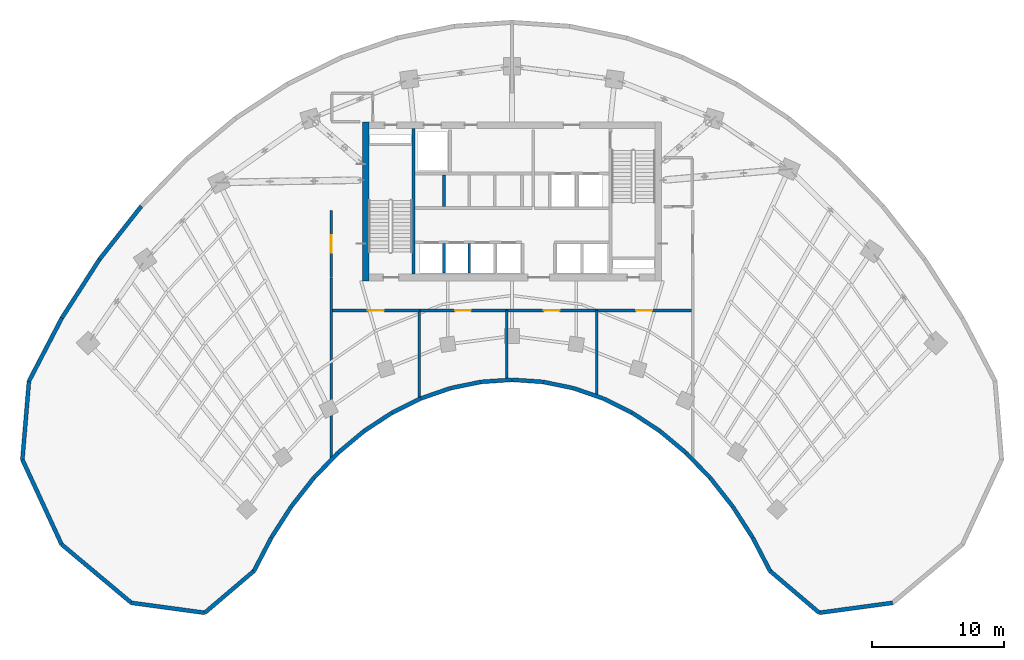
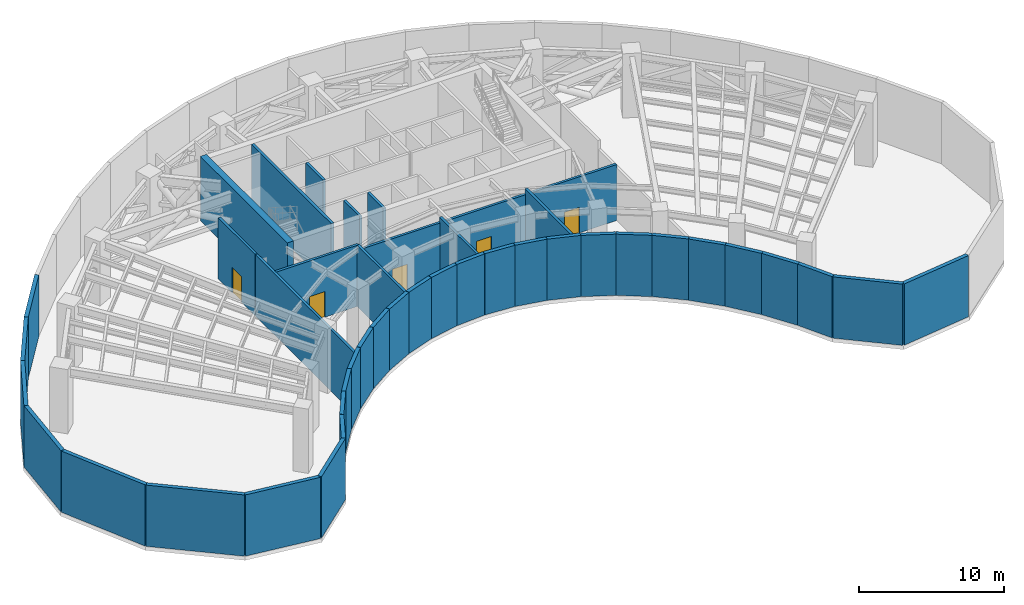
# One storey, part 7 of 10: 44 walls, 5 doors, 5 openings.
"""IFC4 building model written with IfcOpenShell, lengths in metres."""

from ifc_helpers import new_model, si_unit, direction, frame, frame_2d, origin, place, context, subcontext, project, spatial, rectangle, extrude, source, transform, mapped, material, layer, layer_set, type_object, type_shapes, element, fill, save


model = new_model("IFC4")

# Units and contexts
model_context = context("Model", 3, precision=1e-05, world=origin(), true_north=direction((0.0, 1.0)))
body_context = subcontext(model_context, "Body", "Model", "MODEL_VIEW")
ifc_project = project(units=[si_unit("LENGTHUNIT", "METRE"), si_unit("AREAUNIT", "SQUARE_METRE"), si_unit("VOLUMEUNIT", "CUBIC_METRE"), si_unit("PLANEANGLEUNIT", "RADIAN"), si_unit("MASSUNIT", "GRAM", prefix="KILO")], contexts=[model_context])

# Site, building, storey
site_placement = place(None, origin())
site = spatial("IfcSite", under=ifc_project, at=site_placement, CompositionType="ELEMENT")
building_placement = place(site_placement, origin())
building = spatial("IfcBuilding", under=site, at=building_placement, Name="Breltana Convention Tower", CompositionType="ELEMENT")
storey_placement = place(building_placement, frame((0.0, 0.0, 85.800048828125)))
storey = spatial("IfcBuildingStorey", under=building, at=storey_placement, Name="L20", CompositionType="ELEMENT", Elevation=85.800048828125)

# Walls
ifc_material_1 = material(Name="Concrete C60/75", Category="concrete")
ifc_layer_1 = layer(ifc_material_1, 0.5, Name="Concrete C60/75")
ifc_layer_set_1 = layer_set([ifc_layer_1], Name="Concrete C60/75")
wall_type_1 = type_object("IfcWallType", Name="SW-CORE-500", PredefinedType="SHEAR", material=ifc_layer_set_1)
shared_shape_1 = source(origin(), body_context, "Body", "SweptSolid", [
    extrude(rectangle(XDim=12.0, YDim=0.5, at=frame_2d((6.0, 0.0))), origin(), (0.0, 0.0, 1.0), 5.39990234375),
])
type_shapes(wall_type_1, [shared_shape_1])
wall_1_placement = place(storey_placement, frame((36.949951171875, 60.199951171875, 0.0), z_axis=(0.0, 0.0, 1.0), x_axis=(0.0, 1.0, 0.0)))
element("IfcWall", 1, at=wall_1_placement, inside=storey, type_object=wall_type_1, Name="L20 West Core Shear Wall", PredefinedType="SHEAR", context=body_context, shape_type="MappedRepresentation", body=[
    mapped(shared_shape_1, transform((0.0, 0.0, 0.0), scale=1.0)),
])
ifc_material_2 = material(Name="Concrete C50/60", Category="concrete")
ifc_layer_2 = layer(ifc_material_2, 0.39990234375, Name="Concrete C50/60")
ifc_layer_set_2 = layer_set([ifc_layer_2], Name="Concrete C50/60")
wall_type_2 = type_object("IfcWallType", Name="SW-CORE-400", PredefinedType="SHEAR", material=ifc_layer_set_2)
shared_shape_2 = source(origin(), body_context, "Body", "SweptSolid", [
    extrude(rectangle(XDim=11.0, YDim=0.219970703125, at=frame_2d((5.5, 0.0))), origin(), (0.0, 0.0, 1.0), 5.39990234375),
])
wall_2_placement = place(storey_placement, frame((40.580078125, 60.699951171875, 0.0), z_axis=(0.0, 0.0, 1.0), x_axis=(0.0, 1.0, 0.0)))
element("IfcWall", 2, at=wall_2_placement, inside=storey, type_object=wall_type_2, Name="L20 Core West Stair Spine Wall", PredefinedType="SHEAR", context=body_context, shape_type="MappedRepresentation", body=[
    mapped(shared_shape_2, transform((0.0, 0.0, 0.0), scale=1.0)),
])
ifc_material_3 = material(Name="Limestone Buff Insulated Wall", Category="masonry")
ifc_layer_3 = layer(ifc_material_3, 0.300048828125, Name="Limestone Buff Insulated Wall")
ifc_layer_set_3 = layer_set([ifc_layer_3], Name="Limestone Buff Insulated Wall")
wall_type_3 = type_object("IfcWallType", Name="WL-EXT-CRN-300", PredefinedType="SOLIDWALL", material=ifc_layer_set_3)
shared_shape_3 = source(origin(), body_context, "Body", "SweptSolid", [
    extrude(rectangle(XDim=5.939208984375, YDim=0.300048828125, at=frame_2d((2.9697265625, 0.0))), origin(), (0.0, 0.0, 1.0), 5.14990234375),
])
type_shapes(wall_type_3, [shared_shape_3])
wall_3_placement = place(storey_placement, frame((11.0458984375, 46.70654296875, 0.0), z_axis=(0.0, 0.0, 1.0), x_axis=(0.083324439048, 0.996522472329, 0.0)))
element("IfcWall", 3, at=wall_3_placement, inside=storey, type_object=wall_type_3, Name="L20 mechanical limestone enclosure wall 49", PredefinedType="SOLIDWALL", context=body_context, shape_type="MappedRepresentation", body=[
    mapped(shared_shape_3, transform((0.0, 0.0, 0.0), scale=1.0)),
])
shared_shape_4 = source(origin(), body_context, "Body", "SweptSolid", [
    extrude(rectangle(XDim=7.046630859375, YDim=0.300048828125, at=frame_2d((3.5234375, 0.0))), origin(), (0.0, 0.0, 1.0), 5.14990234375),
])
wall_4_placement = place(storey_placement, frame((14.0029296875, 40.310302734375, 0.0), z_axis=(0.0, 0.0, 1.0), x_axis=(-0.419633725743, 0.907693525491, 0.0)))
element("IfcWall", 4, at=wall_4_placement, inside=storey, type_object=wall_type_3, Name="L20 mechanical limestone enclosure wall 48", PredefinedType="SOLIDWALL", context=body_context, shape_type="MappedRepresentation", body=[
    mapped(shared_shape_4, transform((0.0, 0.0, 0.0), scale=1.0)),
])
shared_shape_5 = source(origin(), body_context, "Body", "SweptSolid", [
    extrude(rectangle(XDim=6.88037109375, YDim=0.300048828125, at=frame_2d((3.440185546875, 0.0))), origin(), (0.0, 0.0, 1.0), 5.14990234375),
])
wall_5_placement = place(storey_placement, frame((19.2783203125, 35.893310546875, 0.0), z_axis=(0.0, 0.0, 1.0), x_axis=(-0.766730052601, 0.641969646041, 0.0)))
element("IfcWall", 5, at=wall_5_placement, inside=storey, type_object=wall_type_3, Name="L20 mechanical limestone enclosure wall 47", PredefinedType="SOLIDWALL", context=body_context, shape_type="MappedRepresentation", body=[
    mapped(shared_shape_5, transform((0.0, 0.0, 0.0), scale=1.0)),
])
shared_shape_6 = source(origin(), body_context, "Body", "SweptSolid", [
    extrude(rectangle(XDim=5.575439453125, YDim=0.300048828125, at=frame_2d((2.78759765625, 0.0))), origin(), (0.0, 0.0, 1.0), 5.14990234375),
])
for number, where, z_axis, x_axis, name in (
    (6, (76.7216796875, 35.893310546875, 0.0), (0.0, 0.0, 1.0), (-0.990929024595, -0.134386264979, 0.0), "L20 mechanical limestone enclosure wall 4"),
    (7, (24.80322265625, 35.14404296875, 0.0), (0.0, 0.0, 1.0), (-0.990929024595, 0.134386264979, 0.0), "L20 mechanical limestone enclosure wall 46"),
):
    element("IfcWall", number, at=place(storey_placement, frame(where, z_axis=z_axis, x_axis=x_axis)), inside=storey, type_object=wall_type_3, Name=name, PredefinedType="SOLIDWALL", context=body_context, shape_type="MappedRepresentation", body=[
        mapped(shared_shape_6, transform((0.0, 0.0, 0.0), scale=1.0)),
    ])
shared_shape_7 = source(origin(), body_context, "Body", "SweptSolid", [
    extrude(rectangle(XDim=4.879638671875, YDim=0.300048828125, at=frame_2d((2.43994140625, 0.0))), origin(), (0.0, 0.0, 1.0), 5.14990234375),
])
for number, where, z_axis, x_axis, name in (
    (8, (71.19677734375, 35.14404296875, 0.0), (0.0, 0.0, 1.0), (-0.761909689014, 0.647683275827, 0.0), "L20 mechanical limestone enclosure wall 5"),
    (9, (28.52099609375, 38.304443359375, 0.0), (0.0, 0.0, 1.0), (-0.761909689014, -0.647683275827, 0.0), "L20 mechanical limestone enclosure wall 45"),
):
    element("IfcWall", number, at=place(storey_placement, frame(where, z_axis=z_axis, x_axis=x_axis)), inside=storey, type_object=wall_type_3, Name=name, PredefinedType="SOLIDWALL", context=body_context, shape_type="MappedRepresentation", body=[
        mapped(shared_shape_7, transform((0.0, 0.0, 0.0), scale=1.0)),
    ])
shared_shape_8 = source(origin(), body_context, "Body", "SweptSolid", [
    extrude(rectangle(XDim=2.8232421875, YDim=0.300048828125, at=frame_2d((1.41162109375, 0.0))), origin(), (0.0, 0.0, 1.0), 5.14990234375),
])
for number, where, z_axis, x_axis, name in (
    (10, (67.47900390625, 38.304443359375, 0.0), (0.0, 0.0, 1.0), (-0.46178560981, 0.886991573, 0.0), "L20 mechanical limestone enclosure wall 6"),
    (11, (29.82470703125, 40.80859375, 0.0), (0.0, 0.0, 1.0), (-0.46178560981, -0.886991573, 0.0), "L20 mechanical limestone enclosure wall 44"),
):
    element("IfcWall", number, at=place(storey_placement, frame(where, z_axis=z_axis, x_axis=x_axis)), inside=storey, type_object=wall_type_3, Name=name, PredefinedType="SOLIDWALL", context=body_context, shape_type="MappedRepresentation", body=[
        mapped(shared_shape_8, transform((0.0, 0.0, 0.0), scale=1.0)),
    ])
shared_shape_9 = source(origin(), body_context, "Body", "SweptSolid", [
    extrude(rectangle(XDim=2.784912109375, YDim=0.300048828125, at=frame_2d((1.392578125, 0.0))), origin(), (0.0, 0.0, 1.0), 5.14990234375),
])
for number, where, z_axis, x_axis, name in (
    (12, (66.1669921875, 40.82275390625, 0.0), (0.0, 0.0, 1.0), (-0.540172625994, 0.841554237187, 0.0), "L20 mechanical limestone enclosure wall 8"),
    (13, (31.33740234375, 43.16650390625, 0.0), (0.0, 0.0, 1.0), (-0.540172625994, -0.841554237187, 0.0), "L20 mechanical limestone enclosure wall 42"),
):
    element("IfcWall", number, at=place(storey_placement, frame(where, z_axis=z_axis, x_axis=x_axis)), inside=storey, type_object=wall_type_3, Name=name, PredefinedType="SOLIDWALL", context=body_context, shape_type="MappedRepresentation", body=[
        mapped(shared_shape_9, transform((0.0, 0.0, 0.0), scale=1.0)),
    ])
shared_shape_10 = source(origin(), body_context, "Body", "SweptSolid", [
    extrude(rectangle(XDim=2.70703125, YDim=0.300048828125, at=frame_2d((1.353515625, 0.0))), origin(), (0.0, 0.0, 1.0), 5.14990234375),
])
for number, where, z_axis, x_axis, name in (
    (14, (64.652587890625, 43.1806640625, 0.0), (0.0, 0.0, 1.0), (-0.618140142169, 0.786067913503, 0.0), "L20 mechanical limestone enclosure wall 10"),
    (15, (33.020751953125, 45.30859375, 0.0), (0.0, 0.0, 1.0), (-0.618140142169, -0.786067913503, 0.0), "L20 mechanical limestone enclosure wall 40"),
):
    element("IfcWall", number, at=place(storey_placement, frame(where, z_axis=z_axis, x_axis=x_axis)), inside=storey, type_object=wall_type_3, Name=name, PredefinedType="SOLIDWALL", context=body_context, shape_type="MappedRepresentation", body=[
        mapped(shared_shape_10, transform((0.0, 0.0, 0.0), scale=1.0)),
    ])
shared_shape_11 = source(origin(), body_context, "Body", "SweptSolid", [
    extrude(rectangle(XDim=2.628173828125, YDim=0.300048828125, at=frame_2d((1.31396484375, 0.0))), origin(), (0.0, 0.0, 1.0), 5.14990234375),
])
for number, where, z_axis, x_axis, name in (
    (16, (62.96728515625, 45.322265625, 0.0), (0.0, 0.0, 1.0), (-0.694596171565, 0.719399859917, 0.0), "L20 mechanical limestone enclosure wall 12"),
    (17, (34.858154296875, 47.212890625, 0.0), (0.0, 0.0, 1.0), (-0.694596171565, -0.719399859917, 0.0), "L20 mechanical limestone enclosure wall 38"),
):
    element("IfcWall", number, at=place(storey_placement, frame(where, z_axis=z_axis, x_axis=x_axis)), inside=storey, type_object=wall_type_3, Name=name, PredefinedType="SOLIDWALL", context=body_context, shape_type="MappedRepresentation", body=[
        mapped(shared_shape_11, transform((0.0, 0.0, 0.0), scale=1.0)),
    ])
shared_shape_12 = source(origin(), body_context, "Body", "SweptSolid", [
    extrude(rectangle(XDim=2.550537109375, YDim=0.300048828125, at=frame_2d((1.275390625, 0.0))), origin(), (0.0, 0.0, 1.0), 5.14990234375),
])
for number, where, z_axis, x_axis, name in (
    (18, (61.127685546875, 47.22607421875, 0.0), (0.0, 0.0, 1.0), (-0.767977995995, 0.640476227247, 0.0), "L20 mechanical limestone enclosure wall 14"),
    (19, (36.8310546875, 48.859619140625, 0.0), (0.0, 0.0, 1.0), (-0.767977995995, -0.640476227247, 0.0), "L20 mechanical limestone enclosure wall 36"),
):
    element("IfcWall", number, at=place(storey_placement, frame(where, z_axis=z_axis, x_axis=x_axis)), inside=storey, type_object=wall_type_3, Name=name, PredefinedType="SOLIDWALL", context=body_context, shape_type="MappedRepresentation", body=[
        mapped(shared_shape_12, transform((0.0, 0.0, 0.0), scale=1.0)),
    ])
shared_shape_13 = source(origin(), body_context, "Body", "SweptSolid", [
    extrude(rectangle(XDim=2.478271484375, YDim=0.300048828125, at=frame_2d((1.2392578125, 0.0))), origin(), (0.0, 0.0, 1.0), 5.14990234375),
])
for number, where, z_axis, x_axis, name in (
    (20, (59.152587890625, 48.871826171875, 0.0), (0.0, 0.0, 1.0), (-0.835954701048, 0.548798449156, 0.0), "L20 mechanical limestone enclosure wall 16"),
    (21, (38.919189453125, 50.23193359375, 0.0), (0.0, 0.0, 1.0), (-0.835954701048, -0.548798449156, 0.0), "L20 mechanical limestone enclosure wall 34"),
):
    element("IfcWall", number, at=place(storey_placement, frame(where, z_axis=z_axis, x_axis=x_axis)), inside=storey, type_object=wall_type_3, Name=name, PredefinedType="SOLIDWALL", context=body_context, shape_type="MappedRepresentation", body=[
        mapped(shared_shape_13, transform((0.0, 0.0, 0.0), scale=1.0)),
    ])
shared_shape_14 = source(origin(), body_context, "Body", "SweptSolid", [
    extrude(rectangle(XDim=2.4150390625, YDim=0.300048828125, at=frame_2d((1.20751953125, 0.0))), origin(), (0.0, 0.0, 1.0), 5.14990234375),
])
for number, where, z_axis, x_axis, name in (
    (22, (57.061767578125, 50.24267578125, 0.0), (0.0, 0.0, 1.0), (-0.895978588606, 0.444097251466, 0.0), "L20 mechanical limestone enclosure wall 18"),
    (23, (41.10205078125, 51.315185546875, 0.0), (0.0, 0.0, 1.0), (-0.895978588606, -0.444097251466, 0.0), "L20 mechanical limestone enclosure wall 32"),
):
    element("IfcWall", number, at=place(storey_placement, frame(where, z_axis=z_axis, x_axis=x_axis)), inside=storey, type_object=wall_type_3, Name=name, PredefinedType="SOLIDWALL", context=body_context, shape_type="MappedRepresentation", body=[
        mapped(shared_shape_14, transform((0.0, 0.0, 0.0), scale=1.0)),
    ])
shared_shape_15 = source(origin(), body_context, "Body", "SweptSolid", [
    extrude(rectangle(XDim=2.36376953125, YDim=0.300048828125, at=frame_2d((1.181884765625, 0.0))), origin(), (0.0, 0.0, 1.0), 5.14990234375),
])
for number, where, z_axis, x_axis, name in (
    (24, (54.876953125, 51.32421875, 0.0), (0.0, 0.0, 1.0), (-0.944877958415, 0.327422729359, 0.0), "L20 mechanical limestone enclosure wall 20"),
    (25, (43.3564453125, 52.09814453125, 0.0), (0.0, 0.0, 1.0), (-0.944877958415, -0.327422729359, 0.0), "L20 mechanical limestone enclosure wall 30"),
):
    element("IfcWall", number, at=place(storey_placement, frame(where, z_axis=z_axis, x_axis=x_axis)), inside=storey, type_object=wall_type_3, Name=name, PredefinedType="SOLIDWALL", context=body_context, shape_type="MappedRepresentation", body=[
        mapped(shared_shape_15, transform((0.0, 0.0, 0.0), scale=1.0)),
    ])
shared_shape_16 = source(origin(), body_context, "Body", "SweptSolid", [
    extrude(rectangle(XDim=2.327880859375, YDim=0.300048828125, at=frame_2d((1.1640625, 0.0))), origin(), (0.0, 0.0, 1.0), 5.14990234375),
])
for number, where, z_axis, x_axis, name in (
    (26, (52.620849609375, 52.104248046875, 0.0), (0.0, 0.0, 1.0), (-0.979604817867, 0.200933821971, 0.0), "L20 mechanical limestone enclosure wall 22"),
    (27, (45.65966796875, 52.572021484375, 0.0), (0.0, 0.0, 1.0), (-0.979604817867, -0.200933821971, 0.0), "L20 mechanical limestone enclosure wall 28"),
):
    element("IfcWall", number, at=place(storey_placement, frame(where, z_axis=z_axis, x_axis=x_axis)), inside=storey, type_object=wall_type_3, Name=name, PredefinedType="SOLIDWALL", context=body_context, shape_type="MappedRepresentation", body=[
        mapped(shared_shape_16, transform((0.0, 0.0, 0.0), scale=1.0)),
    ])
shared_shape_17 = source(origin(), body_context, "Body", "SweptSolid", [
    extrude(rectangle(XDim=2.3095703125, YDim=0.300048828125, at=frame_2d((1.15478515625, 0.0))), origin(), (0.0, 0.0, 1.0), 5.14990234375),
])
for number, where, z_axis, x_axis, name in (
    (28, (50.31640625, 52.5751953125, 0.0), (0.0, 0.0, 1.0), (-0.997701593566, 0.067760830841, 0.0), "L20 mechanical limestone enclosure wall 24"),
    (29, (47.98779296875, 52.731689453125, 0.0), (0.0, 0.0, 1.0), (-0.997701593566, -0.067760830841, 0.0), "L20 mechanical limestone enclosure wall 26"),
):
    element("IfcWall", number, at=place(storey_placement, frame(where, z_axis=z_axis, x_axis=x_axis)), inside=storey, type_object=wall_type_3, Name=name, PredefinedType="SOLIDWALL", context=body_context, shape_type="MappedRepresentation", body=[
        mapped(shared_shape_17, transform((0.0, 0.0, 0.0), scale=1.0)),
    ])
shared_shape_18 = source(origin(), body_context, "Body", "SweptSolid", [
    extrude(rectangle(XDim=5.37158203125, YDim=0.300048828125, at=frame_2d((2.685791015625, 0.0))), origin(), (0.0, 0.0, 1.0), 5.14990234375),
])
wall_6_placement = place(storey_placement, frame((11.540771484375, 52.625, 0.0), z_axis=(0.0, 0.0, 1.0), x_axis=(0.461770549399, 0.886999413589, 0.0)))
element("IfcWall", 30, at=wall_6_placement, inside=storey, type_object=wall_type_3, Name="L20 mechanical limestone enclosure wall 50", PredefinedType="SOLIDWALL", context=body_context, shape_type="MappedRepresentation", body=[
    mapped(shared_shape_18, transform((0.0, 0.0, 0.0), scale=1.0)),
])
shared_shape_19 = source(origin(), body_context, "Body", "SweptSolid", [
    extrude(rectangle(XDim=5.260009765625, YDim=0.300048828125, at=frame_2d((2.6298828125, 0.0))), origin(), (0.0, 0.0, 1.0), 5.14990234375),
])
wall_7_placement = place(storey_placement, frame((14.021240234375, 57.3896484375, 0.0), z_axis=(0.0, 0.0, 1.0), x_axis=(0.540178029276, 0.84155076893, 0.0)))
element("IfcWall", 31, at=wall_7_placement, inside=storey, type_object=wall_type_3, Name="L20 mechanical limestone enclosure wall 51", PredefinedType="SOLIDWALL", context=body_context, shape_type="MappedRepresentation", body=[
    mapped(shared_shape_19, transform((0.0, 0.0, 0.0), scale=1.0)),
])
shared_shape_20 = source(origin(), body_context, "Body", "SweptSolid", [
    extrude(rectangle(XDim=5.11181640625, YDim=0.300048828125, at=frame_2d((2.555908203125, 0.0))), origin(), (0.0, 0.0, 1.0), 5.14990234375),
])
wall_8_placement = place(storey_placement, frame((16.862548828125, 61.816162109375, 0.0), z_axis=(0.0, 0.0, 1.0), x_axis=(0.618167418604, 0.78604646337, 0.0)))
element("IfcWall", 32, at=wall_8_placement, inside=storey, type_object=wall_type_3, Name="L20 mechanical limestone enclosure wall 52", PredefinedType="SOLIDWALL", context=body_context, shape_type="MappedRepresentation", body=[
    mapped(shared_shape_20, transform((0.0, 0.0, 0.0), scale=1.0)),
])
ifc_material_4 = material(Name="Autoclaved Aerated Concrete Block", Category="concrete")
ifc_layer_4 = layer(ifc_material_4, 0.199951171875, Name="Autoclaved Aerated Concrete Block")
ifc_layer_set_4 = layer_set([ifc_layer_4], Name="Autoclaved Aerated Concrete Block")
wall_type_4 = type_object("IfcWallType", Name="WL-SHAFT-200", PredefinedType="SOLIDWALL", material=ifc_layer_set_4)
shared_shape_21 = source(origin(), body_context, "Body", "SweptSolid", [
    extrude(rectangle(XDim=2.39990234375, YDim=0.199951171875, at=frame_2d((1.199951171875, 0.0))), origin(), (0.0, 0.0, 1.0), 5.14990234375),
])
wall_9_placement = place(storey_placement, frame((42.8701171875, 65.800048828125, 0.0), z_axis=(0.0, 0.0, 1.0), x_axis=(0.0, 1.0, 0.0)))
element("IfcWall", 33, at=wall_9_placement, inside=storey, type_object=wall_type_4, Name="L20 interior partition W-L20-SH-M-DIV1", PredefinedType="SOLIDWALL", context=body_context, shape_type="MappedRepresentation", body=[
    mapped(shared_shape_21, transform((0.0, 0.0, 0.0), scale=1.0)),
])
shared_shape_22 = source(origin(), body_context, "Body", "SweptSolid", [
    extrude(rectangle(XDim=2.199951171875, YDim=0.199951171875, at=frame_2d((1.10009765625, 0.0))), origin(), (0.0, 0.0, 1.0), 5.14990234375),
])
for number, where, z_axis, x_axis, name in (
    (34, (42.8701171875, 60.800048828125, 0.0), (0.0, 0.0, 1.0), (0.0, 1.0, 0.0), "L20 interior partition W-L20-SH-S-DIV1"),
    (35, (44.77001953125, 60.800048828125, 0.0), (0.0, 0.0, 1.0), (0.0, 1.0, 0.0), "L20 interior partition W-L20-SH-S-DIV2"),
):
    element("IfcWall", number, at=place(storey_placement, frame(where, z_axis=z_axis, x_axis=x_axis)), inside=storey, type_object=wall_type_4, Name=name, PredefinedType="SOLIDWALL", context=body_context, shape_type="MappedRepresentation", body=[
        mapped(shared_shape_22, transform((0.0, 0.0, 0.0), scale=1.0)),
    ])

# Wall, opening, door
shared_shape_23 = source(origin(), body_context, "Body", "SweptSolid", [
    extrude(rectangle(XDim=6.550048828125, YDim=0.199951171875, at=frame_2d((3.27490234375, 0.0))), origin(), (0.0, 0.0, 1.0), 5.14990234375),
])
wall_10_placement = place(storey_placement, frame((34.449951171875, 57.9599609375, 0.0), z_axis=(0.0, 0.0, 1.0), x_axis=(1.0, 0.0, 0.0)))
wall_10 = element("IfcWall", 36, at=wall_10_placement, inside=storey, type_object=wall_type_4, Name="L20 interior partition W-L20-PLS-N1", PredefinedType="SOLIDWALL", context=body_context, shape_type="MappedRepresentation", body=[
    mapped(shared_shape_23, transform((0.0, 0.0, 0.0), scale=1.0)),
])
opening_1_placement = place(wall_10_placement, frame((2.675048828125, 0.0, 0.0)))
opening_1 = element("IfcOpeningElement", 37, at=opening_1_placement, cuts=wall_10, Name="Opening D-09", PredefinedType="OPENING", context=body_context, shape_type="SweptSolid", body=[
    extrude(rectangle(XDim=1.199951171875, YDim=2.14990234375, at=frame_2d((0.60009765625, 1.074951171875))), frame((0.0, 0.10986328125, 0.0), z_axis=(0.0, -1.0, 0.0), x_axis=(1.0, 0.0, 0.0)), (0.0, 0.0, 1.0), 0.219970703125),
])
ifc_material_5 = material(Name="Steel Fire Lobby Door", Category="steel")
door_type_1 = type_object("IfcDoorType", Name="DR-FD120-1200", OperationType="NOTDEFINED", PredefinedType="DOOR", material=ifc_material_5)
shared_shape_24 = source(origin(), body_context, "Body", "SweptSolid", [
    extrude(rectangle(XDim=1.199951171875, YDim=2.14990234375, at=frame_2d((0.60009765625, 1.074951171875))), frame((0.0, 0.02490234375, 0.0), z_axis=(0.0, -1.0, 0.0), x_axis=(1.0, 0.0, 0.0)), (0.0, 0.0, 1.0), 0.050048828125),
])
type_shapes(door_type_1, [shared_shape_24])
door_1_placement = place(opening_1_placement, origin())
door_1 = element("IfcDoor", 38, at=door_1_placement, inside=storey, type_object=door_type_1, Name="L20 interior door D-L20-PL-AHU", OperationType="SINGLE_SWING_LEFT", OverallHeight=2.14990234375, OverallWidth=1.199951171875, PredefinedType="DOOR", context=body_context, shape_type="MappedRepresentation", body=[
    mapped(shared_shape_24, transform((0.0, 0.0, 0.0), scale=1.0)),
])
fill(opening_1, door_1)

# Wall
shared_shape_25 = source(origin(), body_context, "Body", "SweptSolid", [
    extrude(rectangle(XDim=6.68408203125, YDim=0.199951171875, at=frame_2d((3.342041015625, 0.0))), origin(), (0.0, 0.0, 1.0), 5.14990234375),
])
wall_11_placement = place(storey_placement, frame((41.0, 51.27587890625, 0.0), z_axis=(0.0, 0.0, 1.0), x_axis=(0.0, 1.0, 0.0)))
element("IfcWall", 39, at=wall_11_placement, inside=storey, type_object=wall_type_4, Name="L20 interior partition W-L20-PLS-M1", PredefinedType="SOLIDWALL", context=body_context, shape_type="MappedRepresentation", body=[
    mapped(shared_shape_25, transform((0.0, 0.0, 0.0), scale=1.0)),
])

# Wall, opening, door
shared_shape_26 = source(origin(), body_context, "Body", "SweptSolid", [
    extrude(rectangle(XDim=6.60009765625, YDim=0.199951171875, at=frame_2d((3.300048828125, 0.0))), origin(), (0.0, 0.0, 1.0), 4.717041015625),
])
wall_12_placement = place(storey_placement, frame((41.0, 57.9599609375, 0.0), z_axis=(0.0, 0.0, 1.0), x_axis=(1.0, 0.0, 0.0)))
wall_12 = element("IfcWall", 40, at=wall_12_placement, inside=storey, type_object=wall_type_4, Name="L20 interior partition W-L20-PLS-N2", PredefinedType="SOLIDWALL", context=body_context, shape_type="MappedRepresentation", body=[
    mapped(shared_shape_26, transform((0.0, 0.0, 0.0), scale=1.0)),
])
opening_2_placement = place(wall_12_placement, frame((2.699951171875, 0.0, 0.0)))
opening_2 = element("IfcOpeningElement", 41, at=opening_2_placement, cuts=wall_12, Name="Opening D-09", PredefinedType="OPENING", context=body_context, shape_type="SweptSolid", body=[
    extrude(rectangle(XDim=1.199951171875, YDim=2.14990234375, at=frame_2d((0.60009765625, 1.074951171875))), frame((0.0, 0.10986328125, 0.0), z_axis=(0.0, -1.0, 0.0), x_axis=(1.0, 0.0, 0.0)), (0.0, 0.0, 1.0), 0.219970703125),
])
door_2_placement = place(opening_2_placement, origin())
door_2 = element("IfcDoor", 42, at=door_2_placement, inside=storey, type_object=door_type_1, Name="L20 interior door D-L20-PL-DMP", OperationType="SINGLE_SWING_RIGHT", OverallHeight=2.14990234375, OverallWidth=1.199951171875, PredefinedType="DOOR", context=body_context, shape_type="MappedRepresentation", body=[
    mapped(shared_shape_24, transform((0.0, 0.0, 0.0), scale=1.0)),
])
fill(opening_2, door_2)

# Wall
shared_shape_27 = source(origin(), body_context, "Body", "SweptSolid", [
    extrude(rectangle(XDim=5.24462890625, YDim=0.199951171875, at=frame_2d((2.622314453125, 0.0))), origin(), (0.0, 0.0, 1.0), 5.14990234375),
])
wall_13_placement = place(storey_placement, frame((47.60009765625, 52.71533203125, 0.0), z_axis=(0.0, 0.0, 1.0), x_axis=(0.0, 1.0, 0.0)))
element("IfcWall", 43, at=wall_13_placement, inside=storey, type_object=wall_type_4, Name="L20 interior partition W-L20-PLS-M2", PredefinedType="SOLIDWALL", context=body_context, shape_type="MappedRepresentation", body=[
    mapped(shared_shape_27, transform((0.0, 0.0, 0.0), scale=1.0)),
])

# Wall, opening, door
shared_shape_28 = source(origin(), body_context, "Body", "SweptSolid", [
    extrude(rectangle(XDim=6.7998046875, YDim=0.199951171875, at=frame_2d((3.39990234375, 0.0))), origin(), (0.0, 0.0, 1.0), 4.717041015625),
])
wall_14_placement = place(storey_placement, frame((47.60009765625, 57.9599609375, 0.0), z_axis=(0.0, 0.0, 1.0), x_axis=(1.0, 0.0, 0.0)))
wall_14 = element("IfcWall", 44, at=wall_14_placement, inside=storey, type_object=wall_type_4, Name="L20 interior partition W-L20-PLS-N3", PredefinedType="SOLIDWALL", context=body_context, shape_type="MappedRepresentation", body=[
    mapped(shared_shape_28, transform((0.0, 0.0, 0.0), scale=1.0)),
])
opening_3_placement = place(wall_14_placement, frame((2.800048828125, 0.0, 0.0)))
opening_3 = element("IfcOpeningElement", 45, at=opening_3_placement, cuts=wall_14, Name="Opening D-09", PredefinedType="OPENING", context=body_context, shape_type="SweptSolid", body=[
    extrude(rectangle(XDim=1.199951171875, YDim=2.14990234375, at=frame_2d((0.60009765625, 1.074951171875))), frame((0.0, 0.10986328125, 0.0), z_axis=(0.0, -1.0, 0.0), x_axis=(1.0, 0.0, 0.0)), (0.0, 0.0, 1.0), 0.219970703125),
])
door_3_placement = place(opening_3_placement, origin())
door_3 = element("IfcDoor", 46, at=door_3_placement, inside=storey, type_object=door_type_1, Name="L20 interior door D-L20-PL-PMP", OperationType="SINGLE_SWING_LEFT", OverallHeight=2.14990234375, OverallWidth=1.199951171875, PredefinedType="DOOR", context=body_context, shape_type="MappedRepresentation", body=[
    mapped(shared_shape_24, transform((0.0, 0.0, 0.0), scale=1.0)),
])
fill(opening_3, door_3)

# Wall
shared_shape_29 = source(origin(), body_context, "Body", "SweptSolid", [
    extrude(rectangle(XDim=6.4599609375, YDim=0.199951171875, at=frame_2d((3.22998046875, 0.0))), origin(), (0.0, 0.0, 1.0), 5.14990234375),
])
wall_15_placement = place(storey_placement, frame((54.39990234375, 51.5, 0.0), z_axis=(0.0, 0.0, 1.0), x_axis=(0.0, 1.0, 0.0)))
element("IfcWall", 47, at=wall_15_placement, inside=storey, type_object=wall_type_4, Name="L20 interior partition W-L20-PLS-M3", PredefinedType="SOLIDWALL", context=body_context, shape_type="MappedRepresentation", body=[
    mapped(shared_shape_29, transform((0.0, 0.0, 0.0), scale=1.0)),
])

# Wall, opening, door
shared_shape_30 = source(origin(), body_context, "Body", "SweptSolid", [
    extrude(rectangle(XDim=7.150146484375, YDim=0.199951171875, at=frame_2d((3.5751953125, 0.0))), origin(), (0.0, 0.0, 1.0), 4.717041015625),
])
wall_16_placement = place(storey_placement, frame((54.39990234375, 57.9599609375, 0.0), z_axis=(0.0, 0.0, 1.0), x_axis=(1.0, 0.0, 0.0)))
wall_16 = element("IfcWall", 48, at=wall_16_placement, inside=storey, type_object=wall_type_4, Name="L20 interior partition W-L20-PLS-N4", PredefinedType="SOLIDWALL", context=body_context, shape_type="MappedRepresentation", body=[
    mapped(shared_shape_30, transform((0.0, 0.0, 0.0), scale=1.0)),
])
opening_4_placement = place(wall_16_placement, frame((2.97509765625, 0.0, 0.0)))
opening_4 = element("IfcOpeningElement", 49, at=opening_4_placement, cuts=wall_16, Name="Opening D-09", PredefinedType="OPENING", context=body_context, shape_type="SweptSolid", body=[
    extrude(rectangle(XDim=1.199951171875, YDim=2.14990234375, at=frame_2d((0.60009765625, 1.074951171875))), frame((0.0, 0.10986328125, 0.0), z_axis=(0.0, -1.0, 0.0), x_axis=(1.0, 0.0, 0.0)), (0.0, 0.0, 1.0), 0.219970703125),
])
door_4_placement = place(opening_4_placement, origin())
door_4 = element("IfcDoor", 50, at=door_4_placement, inside=storey, type_object=door_type_1, Name="L20 interior door D-L20-PL-SWG", OperationType="SINGLE_SWING_RIGHT", OverallHeight=2.14990234375, OverallWidth=1.199951171875, PredefinedType="DOOR", context=body_context, shape_type="MappedRepresentation", body=[
    mapped(shared_shape_24, transform((0.0, 0.0, 0.0), scale=1.0)),
])
fill(opening_4, door_4)

# Wall
shared_shape_31 = source(origin(), body_context, "Body", "SweptSolid", [
    extrude(rectangle(XDim=13.688720703125, YDim=0.199951171875, at=frame_2d((6.84423828125, 0.0))), origin(), (0.0, 0.0, 1.0), 5.14990234375),
])
wall_17_placement = place(storey_placement, frame((34.360107421875, 46.711181640625, 0.0), z_axis=(0.0, 0.0, 1.0), x_axis=(0.0, 1.0, 0.0)))
element("IfcWall", 51, at=wall_17_placement, inside=storey, type_object=wall_type_4, Name="L20 interior partition W-L20-REFW-S", PredefinedType="SOLIDWALL", context=body_context, shape_type="MappedRepresentation", body=[
    mapped(shared_shape_31, transform((0.0, 0.0, 0.0), scale=1.0)),
])

# Wall, opening, door
shared_shape_32 = source(origin(), body_context, "Body", "SweptSolid", [
    extrude(rectangle(XDim=5.050048828125, YDim=0.199951171875, at=frame_2d((2.52490234375, 0.0))), origin(), (0.0, 0.0, 1.0), 5.14990234375),
])
wall_18_placement = place(storey_placement, frame((34.360107421875, 60.449951171875, 0.0), z_axis=(0.0, 0.0, 1.0), x_axis=(0.0, 1.0, 0.0)))
wall_18 = element("IfcWall", 52, at=wall_18_placement, inside=storey, type_object=wall_type_4, Name="L20 interior partition W-L20-REFW-D", PredefinedType="SOLIDWALL", context=body_context, shape_type="MappedRepresentation", body=[
    mapped(shared_shape_32, transform((0.0, 0.0, 0.0), scale=1.0)),
])
opening_5_placement = place(wall_18_placement, frame((1.875, 0.0, 0.0)))
opening_5 = element("IfcOpeningElement", 53, at=opening_5_placement, cuts=wall_18, Name="Opening D-08", PredefinedType="OPENING", context=body_context, shape_type="SweptSolid", body=[
    extrude(rectangle(XDim=1.300048828125, YDim=2.14990234375, at=frame_2d((0.64990234375, 1.074951171875))), frame((0.0, 0.10986328125, 0.0), z_axis=(0.0, -1.0, 0.0), x_axis=(1.0, 0.0, 0.0)), (0.0, 0.0, 1.0), 0.219970703125),
])
ifc_material_6 = material(Name="Steel Fire Exit Door", Category="steel")
door_type_2 = type_object("IfcDoorType", Name="DR-FD120-1300", OperationType="NOTDEFINED", PredefinedType="DOOR", material=ifc_material_6)
shared_shape_33 = source(origin(), body_context, "Body", "SweptSolid", [
    extrude(rectangle(XDim=1.300048828125, YDim=2.14990234375, at=frame_2d((0.64990234375, 1.074951171875))), frame((0.0, 0.02490234375, 0.0), z_axis=(0.0, -1.0, 0.0), x_axis=(1.0, 0.0, 0.0)), (0.0, 0.0, 1.0), 0.050048828125),
])
type_shapes(door_type_2, [shared_shape_33])
door_5_placement = place(opening_5_placement, origin())
door_5 = element("IfcDoor", 54, at=door_5_placement, inside=storey, type_object=door_type_2, Name="L20 interior door D-L20-REFW", OperationType="SINGLE_SWING_LEFT", OverallHeight=2.14990234375, OverallWidth=1.300048828125, PredefinedType="DOOR", context=body_context, shape_type="MappedRepresentation", body=[
    mapped(shared_shape_33, transform((0.0, 0.0, 0.0), scale=1.0)),
])
fill(opening_5, door_5)

save(model, "model.ifc")
